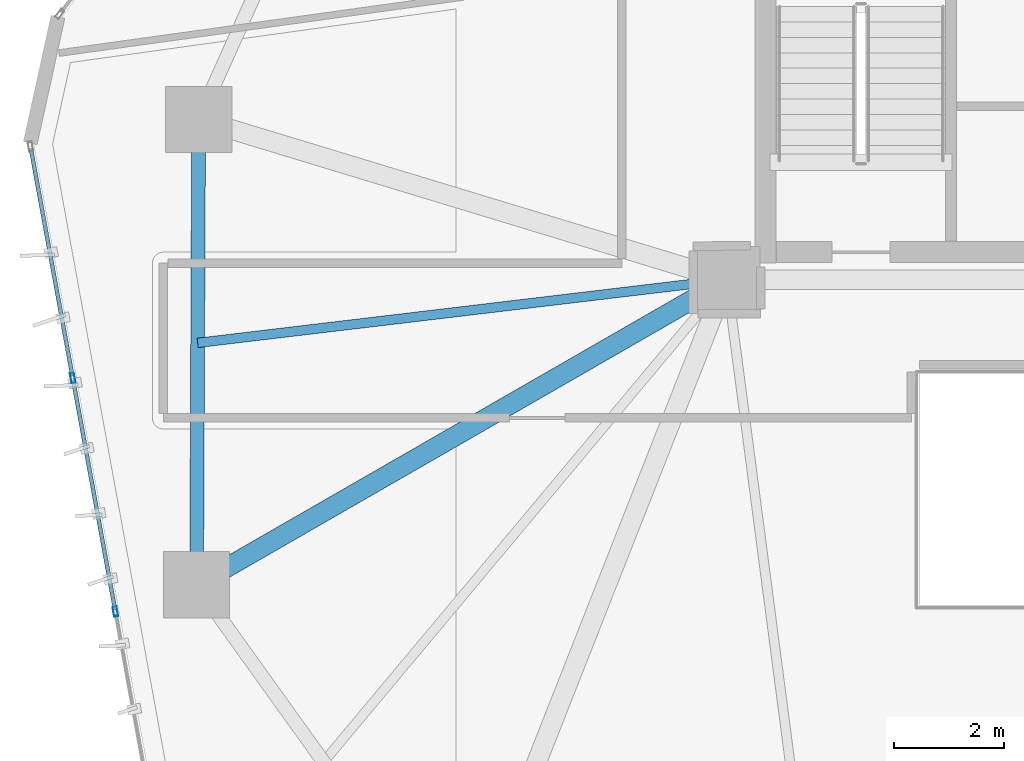
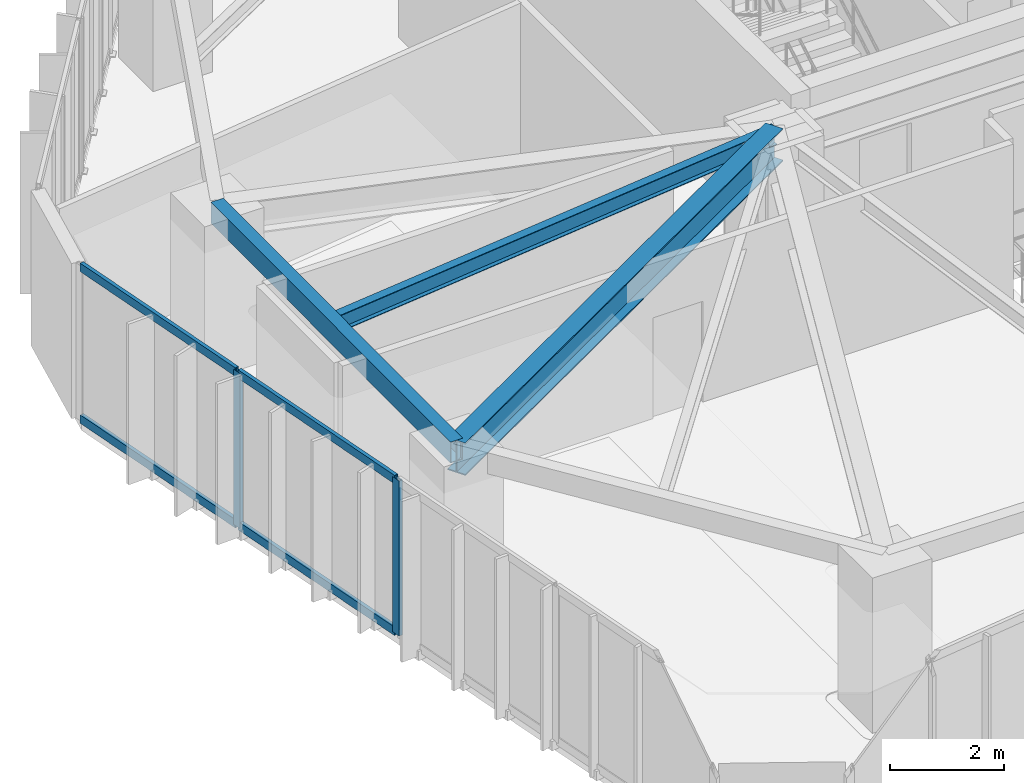
# One storey, part 4 of 24: 6 members, 3 beams, 1 element without a shape of its own.
"""IFC4 building model written with IfcOpenShell, lengths in metres."""

from ifc_helpers import new_model, si_unit, direction, frame, origin, origin_2d, place, context, subcontext, project, spatial, hollow_rectangle, i_section, extrude, source, transform, mapped, material, layer, layer_set, material_profile, profile_set, type_object, type_shapes, element, aggregate, save


model = new_model("IFC4")

# Units and contexts
model_context = context("Model", 3, precision=1e-05, world=origin(), true_north=direction((0.0, 1.0)))
body_context = subcontext(model_context, "Body", "Model", "MODEL_VIEW")
ifc_project = project(units=[si_unit("LENGTHUNIT", "METRE"), si_unit("AREAUNIT", "SQUARE_METRE"), si_unit("VOLUMEUNIT", "CUBIC_METRE"), si_unit("PLANEANGLEUNIT", "RADIAN"), si_unit("MASSUNIT", "GRAM", prefix="KILO")], contexts=[model_context])

# Site, building, storey
site_placement = place(None, origin())
site = spatial("IfcSite", under=ifc_project, at=site_placement, CompositionType="ELEMENT")
building_placement = place(site_placement, origin())
building = spatial("IfcBuilding", under=site, at=building_placement, Name="Talar Marvaseh", CompositionType="ELEMENT")
storey_placement = place(building_placement, frame((0.0, 0.0, 114.60009765625)))
storey = spatial("IfcBuildingStorey", under=building, at=storey_placement, Name="L29", CompositionType="ELEMENT", Elevation=114.60009765625)

# Beams
ifc_material_1 = material(Name="Steel S355", Category="steel")
ifc_material_profile_1 = material_profile(ifc_material_1, hollow_rectangle(XDim=0.25, YDim=0.449951171875, WallThickness=0.01611328125, at=origin_2d()), Name="RHS450x250x16")
ifc_profile_set_1 = profile_set([ifc_material_profile_1], Name="Steel S355")
beam_type_1 = type_object("IfcBeamType", Name="Zone 2 Perimeter Spandrel Beam RHS450x250x16", PredefinedType="SPANDREL", material=ifc_profile_set_1)
beam_1_placement = place(storey_placement, frame((9.10107421875, 19.97705078125, 3.0849609375), z_axis=(0.004375628226, 0.999990426893, 0.0), x_axis=(-0.999990426893, 0.004375628226, 0.0)))
element("IfcBeam", 1, at=beam_1_placement, inside=storey, type_object=beam_type_1, Name="L29 Zone 2 Perimeter Spandrel Beam RHS450x250x16", PredefinedType="SPANDREL", context=body_context, shape_type="SweptSolid", body=[
    extrude(hollow_rectangle(XDim=0.25, YDim=0.449951171875, WallThickness=0.01611328125, at=origin_2d()), origin(), (0.0, 0.0, 1.0), 8.425048828125),
])
ifc_material_profile_2 = material_profile(ifc_material_1, i_section(OverallWidth=0.35498046875, OverallDepth=0.695068359375, WebThickness=0.015380859375, FlangeThickness=0.02490234375, at=origin_2d()), Name="W690x217")
ifc_profile_set_2 = profile_set([ifc_material_profile_2], Name="Steel S355")
beam_type_2 = type_object("IfcBeamType", Name="Zone 2 Radial Floor Girder W690x217", PredefinedType="BEAM", material=ifc_profile_set_2)
beam_2_placement = place(storey_placement, frame((9.10107421875, 19.97705078125, 2.96240234375), z_axis=(0.866765990926, 0.498715065919, 0.0), x_axis=(-0.498715065919, 0.866765990926, 0.0)))
element("IfcBeam", 2, at=beam_2_placement, inside=storey, type_object=beam_type_2, Name="L29 Zone 2 Radial Floor Girder W690x217", PredefinedType="BEAM", context=body_context, shape_type="SweptSolid", body=[
    extrude(i_section(OverallWidth=0.35498046875, OverallDepth=0.695068359375, WebThickness=0.015380859375, FlangeThickness=0.02490234375, at=origin_2d()), origin(), (0.0, 0.0, 1.0), 11.074462890625),
])
ifc_material_profile_3 = material_profile(ifc_material_1, i_section(OverallWidth=0.172119140625, OverallDepth=0.35791015625, WebThickness=0.0078125, FlangeThickness=0.01318359375, at=origin_2d()), Name="W360x57")
ifc_profile_set_3 = profile_set([ifc_material_profile_3], Name="Steel S355")
beam_type_3 = type_object("IfcBeamType", Name="Zone 2 Secondary Floor Joist W360x57", PredefinedType="JOIST", material=ifc_profile_set_3)
beam_3_placement = place(storey_placement, frame((9.1201171875, 24.35791015625, 3.130859375), z_axis=(0.992968386245, 0.118379829018, 0.0), x_axis=(-0.118379829018, 0.992968386245, 0.0)))
element("IfcBeam", 3, at=beam_3_placement, inside=storey, type_object=beam_type_3, Name="L29 Zone 2 Secondary Floor Joist W360x57", PredefinedType="JOIST", context=body_context, shape_type="SweptSolid", body=[
    extrude(i_section(OverallWidth=0.172119140625, OverallDepth=0.35791015625, WebThickness=0.0078125, FlangeThickness=0.01318359375, at=origin_2d()), origin(), (0.0, 0.0, 1.0), 9.647705078125),
])

# Curtain wall, members
ifc_material_2 = material(Name="Architectural Aluminium", Category="aluminium")
ifc_layer = layer(ifc_material_2, 0.199951171875)
ifc_layer_set = layer_set([ifc_layer], Name="Architectural Aluminium")
curtain_wall_type = type_object("IfcCurtainWallType", Name="Unitised Acoustic Library Curtain Wall Z2", PredefinedType="NOTDEFINED", material=ifc_layer_set)
curtain_wall_placement = place(storey_placement, origin())
curtain_wall = element("IfcCurtainWall", 4, at=curtain_wall_placement, inside=storey, type_object=curtain_wall_type, Name="L29 Unitised Acoustic Library Curtain Wall Z2", PredefinedType="NOTDEFINED")
ifc_material_profile_4 = material_profile(ifc_material_2, hollow_rectangle(XDim=0.074951171875, YDim=0.179931640625, WallThickness=0.0048828125, at=origin_2d()), Name="RHS180x75x5")
ifc_profile_set_4 = profile_set([ifc_material_profile_4], Name="Architectural Aluminium")
member_type_1 = type_object("IfcMemberType", Name="Unitised Curtain Wall Transom RHS180x75x5", PredefinedType="USERDEFINED", material=ifc_profile_set_4)
shared_shape_1 = source(origin(), body_context, "Body", "SweptSolid", [
    extrude(hollow_rectangle(XDim=0.074951171875, YDim=0.179931640625, WallThickness=0.0048828125, at=origin_2d()), origin(), (0.0, 0.0, 1.0), 4.222900390625),
])
member_1_placement = place(storey_placement, frame((7.625, 19.531005859375, 0.037353515625), z_axis=(-0.179623073925, 0.98373550882, 0.0), x_axis=(-0.98373550882, -0.179623073925, 0.0)))
member_1 = element("IfcMember", 5, at=member_1_placement, type_object=member_type_1, Name="CW-Z2 transom 3.1", ObjectType="TRANSOM", PredefinedType="USERDEFINED", context=body_context, shape_type="MappedRepresentation", body=[
    mapped(shared_shape_1, transform((0.0, 0.0, 0.0), x_axis=(1.0, 0.0, 0.0), y_axis=(0.0, 1.0, 0.0), z_axis=(0.0, 0.0, 1.0), scale=1.0)),
])
member_2_placement = place(storey_placement, frame((7.625, 19.531005859375, 3.2724609375), z_axis=(-0.179623073925, 0.98373550882, 0.0), x_axis=(-0.98373550882, -0.179623073925, 0.0)))
member_2 = element("IfcMember", 6, at=member_2_placement, type_object=member_type_1, Name="CW-Z2 transom 3.2", ObjectType="TRANSOM", PredefinedType="USERDEFINED", context=body_context, shape_type="MappedRepresentation", body=[
    mapped(shared_shape_1, transform((0.0, 0.0, 0.0), x_axis=(1.0, 0.0, 0.0), y_axis=(0.0, 1.0, 0.0), z_axis=(0.0, 0.0, 1.0), scale=1.0)),
])
shared_shape_2 = source(origin(), body_context, "Body", "SweptSolid", [
    extrude(hollow_rectangle(XDim=0.074951171875, YDim=0.179931640625, WallThickness=0.0048828125, at=origin_2d()), origin(), (0.0, 0.0, 1.0), 4.185546875),
])
type_shapes(member_type_1, [shared_shape_1, shared_shape_2])
member_3_placement = place(storey_placement, frame((6.85302734375, 23.759033203125, 0.037353515625), z_axis=(-0.179598886967, 0.983739924879, 0.0), x_axis=(-0.983739924879, -0.179598886967, 0.0)))
member_3 = element("IfcMember", 7, at=member_3_placement, type_object=member_type_1, Name="CW-Z2 transom 4.1", ObjectType="TRANSOM", PredefinedType="USERDEFINED", context=body_context, shape_type="MappedRepresentation", body=[
    mapped(shared_shape_2, transform((0.0, 0.0, 0.0), x_axis=(1.0, 0.0, 0.0), y_axis=(0.0, 1.0, 0.0), z_axis=(0.0, 0.0, 1.0), scale=1.0)),
])
member_4_placement = place(storey_placement, frame((6.85302734375, 23.759033203125, 3.2724609375), z_axis=(-0.179598886967, 0.983739924879, 0.0), x_axis=(-0.983739924879, -0.179598886967, 0.0)))
member_4 = element("IfcMember", 8, at=member_4_placement, type_object=member_type_1, Name="CW-Z2 transom 4.2", ObjectType="TRANSOM", PredefinedType="USERDEFINED", context=body_context, shape_type="MappedRepresentation", body=[
    mapped(shared_shape_2, transform((0.0, 0.0, 0.0), x_axis=(1.0, 0.0, 0.0), y_axis=(0.0, 1.0, 0.0), z_axis=(0.0, 0.0, 1.0), scale=1.0)),
])
ifc_material_profile_5 = material_profile(ifc_material_2, hollow_rectangle(XDim=0.074951171875, YDim=0.179931640625, WallThickness=0.0048828125, at=origin_2d()), Name="RHS180x75x5")
ifc_profile_set_5 = profile_set([ifc_material_profile_5], Name="Architectural Aluminium")
member_type_2 = type_object("IfcMemberType", Name="Unitised Curtain Wall Standard Mullion RHS180x75x5", PredefinedType="MULLION", material=ifc_profile_set_5)
shared_shape_3 = source(origin(), body_context, "Body", "SweptSolid", [
    extrude(hollow_rectangle(XDim=0.074951171875, YDim=0.179931640625, WallThickness=0.0048828125, at=origin_2d()), origin(), (0.0, 0.0, 1.0), 3.309814453125),
])
type_shapes(member_type_2, [shared_shape_3])
member_5_placement = place(storey_placement, frame((7.631591796875, 19.494140625, 0.0), z_axis=(0.0, 0.0, 1.0), x_axis=(-0.983740753921, -0.179594345885, 0.0)))
member_5 = element("IfcMember", 9, at=member_5_placement, type_object=member_type_2, Name="CW-Z2 mullion 3", PredefinedType="MULLION", context=body_context, shape_type="MappedRepresentation", body=[
    mapped(shared_shape_3, transform((0.0, 0.0, 0.0), x_axis=(1.0, 0.0, 0.0), y_axis=(0.0, 1.0, 0.0), z_axis=(0.0, 0.0, 1.0), scale=1.0)),
])
member_6_placement = place(storey_placement, frame((6.85986328125, 23.72216796875, 0.0), z_axis=(0.0, 0.0, 1.0), x_axis=(-0.983740753921, -0.179594345885, 0.0)))
member_6 = element("IfcMember", 10, at=member_6_placement, type_object=member_type_2, Name="CW-Z2 mullion 4", PredefinedType="MULLION", context=body_context, shape_type="MappedRepresentation", body=[
    mapped(shared_shape_3, transform((0.0, 0.0, 0.0), x_axis=(1.0, 0.0, 0.0), y_axis=(0.0, 1.0, 0.0), z_axis=(0.0, 0.0, 1.0), scale=1.0)),
])
aggregate(curtain_wall, [member_5, member_6, member_1, member_2, member_3, member_4])

save(model, "model.ifc")
